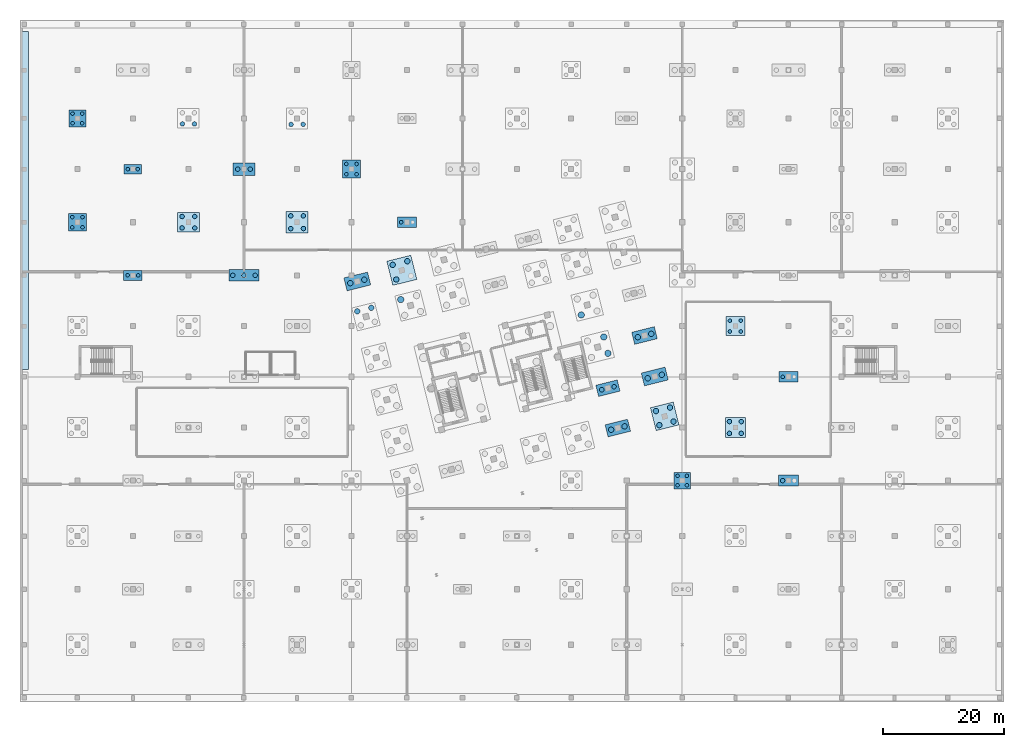
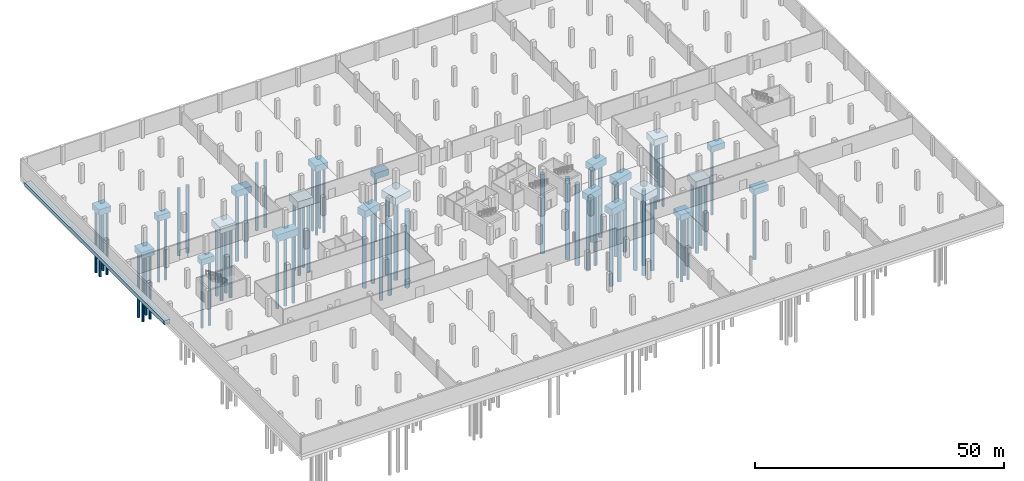
# One storey, part 3 of 29: 71 piles, 23 footings.
"""IFC4 building model written with IfcOpenShell, lengths in metres."""

from ifc_helpers import new_model, si_unit, direction, frame, origin, origin_2d, place, context, subcontext, project, spatial, rectangle, circle, extrude, material, layer, layer_set, material_profile, profile_set, type_object, element, save


model = new_model("IFC4")

# Units and contexts
model_context = context("Model", 3, precision=1e-05, world=origin(), true_north=direction((0.0, 1.0)))
body_context = subcontext(model_context, "Body", "Model", "MODEL_VIEW")
ifc_project = project(units=[si_unit("LENGTHUNIT", "METRE"), si_unit("AREAUNIT", "SQUARE_METRE"), si_unit("VOLUMEUNIT", "CUBIC_METRE"), si_unit("PLANEANGLEUNIT", "RADIAN"), si_unit("MASSUNIT", "GRAM", prefix="KILO")], contexts=[model_context])

# Site, building, storey
site_placement = place(None, origin())
site = spatial("IfcSite", under=ifc_project, at=site_placement, CompositionType="ELEMENT")
building_placement = place(site_placement, origin())
building = spatial("IfcBuilding", under=site, at=building_placement, Name="Meriwether Solvik Hall", CompositionType="ELEMENT")
storey_placement = place(building_placement, frame((0.0, 0.0, -9.0)))
storey = spatial("IfcBuildingStorey", under=building, at=storey_placement, Name="B02", CompositionType="ELEMENT", Elevation=-9.0)

# Footings
ifc_material_1 = material(Name="Concrete C40/50", Category="concrete")
ifc_layer_1 = layer(ifc_material_1, 1.39990234375)
ifc_layer_set_1 = layer_set([ifc_layer_1], Name="Concrete C40/50")
footing_type_1 = type_object("IfcFootingType", Name="FTG-PC-2750X2750X1400", PredefinedType="PILE_CAP", material=ifc_layer_set_1)
footing_1_placement = place(storey_placement, frame((114.199951171875, 41.199951171875, -2.0), z_axis=(0.0, 0.0, 1.0), x_axis=(1.0, 0.0, 0.0)))
element("IfcFooting", 1, at=footing_1_placement, inside=storey, type_object=footing_type_1, Name="Pile Cap pod_13_E", PredefinedType="PILE_CAP", context=body_context, shape_type="SweptSolid", body=[
    extrude(rectangle(XDim=2.75, YDim=2.75, at=origin_2d()), origin(), (0.0, 0.0, 1.0), 1.39990234375),
])
ifc_material_2 = material(Name="Concrete C40/50", Category="concrete")
ifc_layer_2 = layer(ifc_material_2, 1.449951171875)
ifc_layer_set_2 = layer_set([ifc_layer_2], Name="Concrete C40/50")
footing_type_2 = type_object("IfcFootingType", Name="FTG-PC-2800X2800X1450", PredefinedType="PILE_CAP", material=ifc_layer_set_2)
footing_2_placement = place(storey_placement, frame((14.0, 101.199951171875, -2.0498046875), z_axis=(0.0, 0.0, 1.0), x_axis=(1.0, 0.0, 0.0)))
element("IfcFooting", 2, at=footing_2_placement, inside=storey, type_object=footing_type_2, Name="Pile Cap pod_2_L", PredefinedType="PILE_CAP", context=body_context, shape_type="SweptSolid", body=[
    extrude(rectangle(XDim=2.800048828125, YDim=2.800048828125, at=origin_2d()), origin(), (0.0, 0.0, 1.0), 1.449951171875),
])
ifc_material_3 = material(Name="Concrete C40/50", Category="concrete")
ifc_layer_3 = layer(ifc_material_3, 1.39990234375)
ifc_layer_set_3 = layer_set([ifc_layer_3], Name="Concrete C40/50")
footing_type_3 = type_object("IfcFootingType", Name="FTG-PC-2900X1550X1400", PredefinedType="PILE_CAP", material=ifc_layer_set_3)
footing_3_placement = place(storey_placement, frame((23.199951171875, 92.800048828125, -2.0), z_axis=(0.0, 0.0, 1.0), x_axis=(1.0, 0.0, 0.0)))
element("IfcFooting", 3, at=footing_3_placement, inside=storey, type_object=footing_type_3, Name="Pile Cap pod_3_K", PredefinedType="PILE_CAP", context=body_context, shape_type="SweptSolid", body=[
    extrude(rectangle(XDim=2.89990234375, YDim=1.550048828125, at=origin_2d()), origin(), (0.0, 0.0, 1.0), 1.39990234375),
])
ifc_material_4 = material(Name="Concrete C40/50", Category="concrete")
ifc_layer_4 = layer(ifc_material_4, 1.5)
ifc_layer_set_4 = layer_set([ifc_layer_4], Name="Concrete C40/50")
footing_type_4 = type_object("IfcFootingType", Name="FTG-PC-2950X2950X1500", PredefinedType="PILE_CAP", material=ifc_layer_set_4)
for number, where, z_axis, x_axis, name in (
    (4, (14.0, 84.0, -2.10009765625), (0.0, 0.0, 1.0), (1.0, 0.0, 0.0), "Pile Cap pod_2_J"),
    (5, (59.39990234375, 92.800048828125, -2.10009765625), (0.0, 0.0, 1.0), (1.0, 0.0, 0.0), "Pile Cap pod_7_K"),
):
    element("IfcFooting", number, at=place(storey_placement, frame(where, z_axis=z_axis, x_axis=x_axis)), inside=storey, type_object=footing_type_4, Name=name, PredefinedType="PILE_CAP", context=body_context, shape_type="SweptSolid", body=[
        extrude(rectangle(XDim=2.949951171875, YDim=2.949951171875, at=origin_2d()), origin(), (0.0, 0.0, 1.0), 1.5),
    ])
ifc_material_5 = material(Name="Concrete C40/50", Category="concrete")
ifc_layer_5 = layer(ifc_material_5, 1.449951171875)
ifc_layer_set_5 = layer_set([ifc_layer_5], Name="Concrete C40/50")
footing_type_5 = type_object("IfcFootingType", Name="FTG-PC-3050X1650X1450", PredefinedType="PILE_CAP", material=ifc_layer_set_5)
footing_4_placement = place(storey_placement, frame((23.199951171875, 75.199951171875, -2.0498046875), z_axis=(0.0, 0.0, 1.0), x_axis=(1.0, 0.0, 0.0)))
element("IfcFooting", 6, at=footing_4_placement, inside=storey, type_object=footing_type_5, Name="Pile Cap pod_3_I", PredefinedType="PILE_CAP", context=body_context, shape_type="SweptSolid", body=[
    extrude(rectangle(XDim=3.050048828125, YDim=1.64990234375, at=origin_2d()), origin(), (0.0, 0.0, 1.0), 1.449951171875),
])
ifc_material_6 = material(Name="Concrete C40/50", Category="concrete")
ifc_layer_6 = layer(ifc_material_6, 1.550048828125)
ifc_layer_set_6 = layer_set([ifc_layer_6], Name="Concrete C40/50")
footing_type_6 = type_object("IfcFootingType", Name="FTG-PC-3150X3150X1550", PredefinedType="PILE_CAP", material=ifc_layer_set_6)
footing_5_placement = place(storey_placement, frame((123.0, 66.800048828125, -2.14990234375), z_axis=(0.0, 0.0, 1.0), x_axis=(1.0, 0.0, 0.0)))
element("IfcFooting", 7, at=footing_5_placement, inside=storey, type_object=footing_type_6, Name="Pile Cap pod_14_H", PredefinedType="PILE_CAP", context=body_context, shape_type="SweptSolid", body=[
    extrude(rectangle(XDim=3.14990234375, YDim=3.14990234375, at=origin_2d()), origin(), (0.0, 0.0, 1.0), 1.550048828125),
])
ifc_material_7 = material(Name="Concrete C40/50", Category="concrete")
ifc_layer_7 = layer(ifc_material_7, 1.5)
ifc_layer_set_7 = layer_set([ifc_layer_7], Name="Concrete C40/50")
footing_type_7 = type_object("IfcFootingType", Name="FTG-PC-3200X1750X1500", PredefinedType="PILE_CAP", material=ifc_layer_set_7)
for number, where, z_axis, x_axis, name in (
    (8, (68.60009765625, 84.0, -2.10009765625), (0.0, 0.0, 1.0), (1.0, 0.0, 0.0), "Pile Cap pod_8_J"),
    (9, (131.800048828125, 58.39990234375, -2.10009765625), (0.0, 0.0, 1.0), (1.0, 0.0, 0.0), "Pile Cap pod_15_G"),
):
    element("IfcFooting", number, at=place(storey_placement, frame(where, z_axis=z_axis, x_axis=x_axis)), inside=storey, type_object=footing_type_7, Name=name, PredefinedType="PILE_CAP", context=body_context, shape_type="SweptSolid", body=[
        extrude(rectangle(XDim=3.199951171875, YDim=1.75, at=origin_2d()), origin(), (0.0, 0.0, 1.0), 1.5),
    ])
ifc_material_8 = material(Name="Concrete C40/50", Category="concrete")
ifc_layer_8 = layer(ifc_material_8, 1.60009765625)
ifc_layer_set_8 = layer_set([ifc_layer_8], Name="Concrete C40/50")
footing_type_8 = type_object("IfcFootingType", Name="FTG-PC-3300X3300X1600", PredefinedType="PILE_CAP", material=ifc_layer_set_8)
footing_6_placement = place(storey_placement, frame((123.0, 50.0, -2.199951171875), z_axis=(0.0, 0.0, 1.0), x_axis=(1.0, 0.0, 0.0)))
element("IfcFooting", 10, at=footing_6_placement, inside=storey, type_object=footing_type_8, Name="Pile Cap pod_14_F", PredefinedType="PILE_CAP", context=body_context, shape_type="SweptSolid", body=[
    extrude(rectangle(XDim=3.300048828125, YDim=3.300048828125, at=origin_2d()), origin(), (0.0, 0.0, 1.0), 1.60009765625),
])
ifc_material_9 = material(Name="Concrete C40/50", Category="concrete")
ifc_layer_9 = layer(ifc_material_9, 1.5)
ifc_layer_set_9 = layer_set([ifc_layer_9], Name="Concrete C40/50")
footing_type_9 = type_object("IfcFootingType", Name="FTG-PC-3350X1850X1500", PredefinedType="PILE_CAP", material=ifc_layer_set_9)
footing_7_placement = place(storey_placement, frame((131.800048828125, 41.199951171875, -2.10009765625), z_axis=(0.0, 0.0, 1.0), x_axis=(1.0, 0.0, 0.0)))
element("IfcFooting", 11, at=footing_7_placement, inside=storey, type_object=footing_type_9, Name="Pile Cap pod_15_E", PredefinedType="PILE_CAP", context=body_context, shape_type="SweptSolid", body=[
    extrude(rectangle(XDim=3.35009765625, YDim=1.85009765625, at=origin_2d()), origin(), (0.0, 0.0, 1.0), 1.5),
])
ifc_material_10 = material(Name="Concrete C40/50", Category="concrete")
ifc_layer_10 = layer(ifc_material_10, 1.699951171875)
ifc_layer_set_10 = layer_set([ifc_layer_10], Name="Concrete C40/50")
footing_type_10 = type_object("IfcFootingType", Name="FTG-PC-3600X3600X1700", PredefinedType="PILE_CAP", material=ifc_layer_set_10)
footing_8_placement = place(storey_placement, frame((50.39990234375, 84.0, -2.2998046875), z_axis=(0.0, 0.0, 1.0), x_axis=(1.0, 0.0, 0.0)))
element("IfcFooting", 12, at=footing_8_placement, inside=storey, type_object=footing_type_10, Name="Pile Cap pod_6_J", PredefinedType="PILE_CAP", context=body_context, shape_type="SweptSolid", body=[
    extrude(rectangle(XDim=3.60009765625, YDim=3.60009765625, at=origin_2d()), origin(), (0.0, 0.0, 1.0), 1.699951171875),
])
ifc_material_11 = material(Name="Concrete C40/50", Category="concrete")
ifc_layer_11 = layer(ifc_material_11, 1.60009765625)
ifc_layer_set_11 = layer_set([ifc_layer_11], Name="Concrete C40/50")
footing_type_11 = type_object("IfcFootingType", Name="FTG-PC-3650X1900X1600", PredefinedType="PILE_CAP", material=ifc_layer_set_11)
footing_9_placement = place(storey_placement, frame((101.885498046875, 56.507080078125, -2.199951171875), z_axis=(0.0, 0.0, 1.0), x_axis=(0.970295726276, 0.2419218956, 0.0)))
element("IfcFooting", 13, at=footing_9_placement, inside=storey, type_object=footing_type_11, Name="Pile Cap tw_T6_TB", PredefinedType="PILE_CAP", context=body_context, shape_type="SweptSolid", body=[
    extrude(rectangle(XDim=3.64990234375, YDim=1.89990234375, at=origin_2d()), origin(), (0.0, 0.0, 1.0), 1.60009765625),
])
ifc_material_12 = material(Name="Concrete C40/50", Category="concrete")
ifc_layer_12 = layer(ifc_material_12, 1.60009765625)
ifc_layer_set_12 = layer_set([ifc_layer_12], Name="Concrete C40/50")
footing_type_12 = type_object("IfcFootingType", Name="FTG-PC-3650X2100X1600", PredefinedType="PILE_CAP", material=ifc_layer_set_12)
footing_10_placement = place(storey_placement, frame((41.60009765625, 92.800048828125, -2.199951171875), z_axis=(0.0, 0.0, 1.0), x_axis=(1.0, 0.0, 0.0)))
element("IfcFooting", 14, at=footing_10_placement, inside=storey, type_object=footing_type_12, Name="Pile Cap pod_5_K", PredefinedType="PILE_CAP", context=body_context, shape_type="SweptSolid", body=[
    extrude(rectangle(XDim=3.64990234375, YDim=2.10009765625, at=origin_2d()), origin(), (0.0, 0.0, 1.0), 1.60009765625),
])
ifc_material_13 = material(Name="Concrete C40/50", Category="concrete")
ifc_layer_13 = layer(ifc_material_13, 1.60009765625)
ifc_layer_set_13 = layer_set([ifc_layer_13], Name="Concrete C40/50")
footing_type_13 = type_object("IfcFootingType", Name="FTG-PC-3700X3300X1600", PredefinedType="PILE_CAP", material=ifc_layer_set_13)
footing_11_placement = place(storey_placement, frame((32.39990234375, 84.0, -2.199951171875), z_axis=(0.0, 0.0, 1.0), x_axis=(1.0, 0.0, 0.0)))
element("IfcFooting", 15, at=footing_11_placement, inside=storey, type_object=footing_type_13, Name="Pile Cap pod_4_J", PredefinedType="PILE_CAP", context=body_context, shape_type="SweptSolid", body=[
    extrude(rectangle(XDim=3.699951171875, YDim=3.300048828125, at=origin_2d()), origin(), (0.0, 0.0, 1.0), 1.60009765625),
])
ifc_material_14 = material(Name="Concrete C40/50", Category="concrete")
ifc_layer_14 = layer(ifc_material_14, 1.64990234375)
ifc_layer_set_14 = layer_set([ifc_layer_14], Name="Concrete C40/50")
footing_type_14 = type_object("IfcFootingType", Name="FTG-PC-3850X2050X1650", PredefinedType="PILE_CAP", material=ifc_layer_set_14)
for number, where, z_axis, x_axis, name in (
    (16, (103.53076171875, 49.9091796875, -2.25), (0.0, 0.0, 1.0), (0.970295726276, 0.2419218956, 0.0), "Pile Cap tw_T6_TA"),
    (17, (107.95458984375, 65.234619140625, -2.25), (0.0, 0.0, 1.0), (0.970295726276, 0.2419218956, 0.0), "Pile Cap tw_T7_TC"),
):
    element("IfcFooting", number, at=place(storey_placement, frame(where, z_axis=z_axis, x_axis=x_axis)), inside=storey, type_object=footing_type_14, Name=name, PredefinedType="PILE_CAP", context=body_context, shape_type="SweptSolid", body=[
        extrude(rectangle(XDim=3.85009765625, YDim=2.050048828125, at=origin_2d()), origin(), (0.0, 0.0, 1.0), 1.64990234375),
    ])
ifc_material_15 = material(Name="Concrete C40/50", Category="concrete")
ifc_layer_15 = layer(ifc_material_15, 1.75)
ifc_layer_set_15 = layer_set([ifc_layer_15], Name="Concrete C40/50")
footing_type_15 = type_object("IfcFootingType", Name="FTG-PC-3900X3900X1750", PredefinedType="PILE_CAP", material=ifc_layer_set_15)
footing_12_placement = place(storey_placement, frame((111.29296875, 51.844482421875, -2.35009765625), z_axis=(0.0, 0.0, 1.0), x_axis=(0.970295726276, 0.2419218956, 0.0)))
element("IfcFooting", 18, at=footing_12_placement, inside=storey, type_object=footing_type_15, Name="Pile Cap tw_T7_TA", PredefinedType="PILE_CAP", context=body_context, shape_type="SweptSolid", body=[
    extrude(rectangle(XDim=3.89990234375, YDim=3.89990234375, at=origin_2d()), origin(), (0.0, 0.0, 1.0), 1.75),
])
ifc_material_16 = material(Name="Concrete C40/50", Category="concrete")
ifc_layer_16 = layer(ifc_material_16, 1.699951171875)
ifc_layer_set_16 = layer_set([ifc_layer_16], Name="Concrete C40/50")
footing_type_16 = type_object("IfcFootingType", Name="FTG-PC-4050X2200X1700", PredefinedType="PILE_CAP", material=ifc_layer_set_16)
for number, where, z_axis, x_axis, name in (
    (19, (60.374755859375, 74.18994140625, -2.2998046875), (0.0, 0.0, 1.0), (0.970295726276, 0.2419218956, 0.0), "Pile Cap tw_T1_TF"),
    (20, (109.64794921875, 58.442626953125, -2.2998046875), (0.0, 0.0, 1.0), (0.970295726276, 0.2419218956, 0.0), "Pile Cap tw_T7_TB"),
):
    element("IfcFooting", number, at=place(storey_placement, frame(where, z_axis=z_axis, x_axis=x_axis)), inside=storey, type_object=footing_type_16, Name=name, PredefinedType="PILE_CAP", context=body_context, shape_type="SweptSolid", body=[
        extrude(rectangle(XDim=4.050048828125, YDim=2.199951171875, at=origin_2d()), origin(), (0.0, 0.0, 1.0), 1.699951171875),
    ])
ifc_material_17 = material(Name="Concrete C40/50", Category="concrete")
ifc_layer_17 = layer(ifc_material_17, 1.800048828125)
ifc_layer_set_17 = layer_set([ifc_layer_17], Name="Concrete C40/50")
footing_type_17 = type_object("IfcFootingType", Name="FTG-PC-4100X4100X1800", PredefinedType="PILE_CAP", material=ifc_layer_set_17)
footing_13_placement = place(storey_placement, frame((67.748779296875, 76.028564453125, -2.39990234375), z_axis=(0.0, 0.0, 1.0), x_axis=(0.970295726276, 0.2419218956, 0.0)))
element("IfcFooting", 21, at=footing_13_placement, inside=storey, type_object=footing_type_17, Name="Pile Cap tw_T2_TF", PredefinedType="PILE_CAP", context=body_context, shape_type="SweptSolid", body=[
    extrude(rectangle(XDim=4.10009765625, YDim=4.10009765625, at=origin_2d()), origin(), (0.0, 0.0, 1.0), 1.800048828125),
])
ifc_material_18 = material(Name="Concrete C40/50", Category="concrete")
ifc_layer_18 = layer(ifc_material_18, 1.699951171875)
ifc_layer_set_18 = layer_set([ifc_layer_18], Name="Concrete C40/50")
footing_type_18 = type_object("IfcFootingType", Name="FTG-PC-4950X1950X1700", PredefinedType="PILE_CAP", material=ifc_layer_set_18)
footing_14_placement = place(storey_placement, frame((41.60009765625, 75.199951171875, -2.2998046875), z_axis=(0.0, 0.0, 1.0), x_axis=(1.0, 0.0, 0.0)))
element("IfcFooting", 22, at=footing_14_placement, inside=storey, type_object=footing_type_18, Name="Pile Cap pod_5_I", PredefinedType="PILE_CAP", context=body_context, shape_type="SweptSolid", body=[
    extrude(rectangle(XDim=4.949951171875, YDim=1.949951171875, at=origin_2d()), origin(), (0.0, 0.0, 1.0), 1.699951171875),
])
ifc_material_19 = material(Name="Concrete C40/50", Category="concrete")
ifc_layer_19 = layer(ifc_material_19, 1.0)
ifc_layer_set_19 = layer_set([ifc_layer_19], Name="Concrete C40/50")
footing_type_19 = type_object("IfcFootingType", Name="FTG-SF-1400X1000", PredefinedType="STRIP_FOOTING", material=ifc_layer_set_19)
footing_15_placement = place(storey_placement, frame((5.199951171875, 87.60009765625, -1.60009765625), z_axis=(0.0, 0.0, 1.0), x_axis=(0.0, 1.0, 0.0)))
element("IfcFooting", 23, at=footing_15_placement, inside=storey, type_object=footing_type_19, Name="Perimeter Strip Footing SF_W2", PredefinedType="STRIP_FOOTING", context=body_context, shape_type="SweptSolid", body=[
    extrude(rectangle(XDim=56.0, YDim=1.39990234375, at=origin_2d()), origin(), (0.0, 0.0, 1.0), 1.0),
])

# Piles
ifc_material_20 = material(Name="Concrete C40/50", Category="concrete")
ifc_material_profile_1 = material_profile(ifc_material_20, circle(Radius=0.52490234375, at=origin_2d()), Name="PILE-D1050")
ifc_profile_set_1 = profile_set([ifc_material_profile_1], Name="Concrete C40/50")
pile_type_1 = type_object("IfcPileType", Name="PILE-BORED-1050", PredefinedType="BORED", material=ifc_profile_set_1)
pile_1_placement = place(storey_placement, frame((67.56396484375, 71.190185546875, -2.330078125), z_axis=(0.0, 0.0, -1.0), x_axis=(1.0, 0.0, 0.0)))
element("IfcPile", 24, at=pile_1_placement, inside=storey, type_object=pile_type_1, Name="Bored Pile P-045", PredefinedType="BORED", context=body_context, shape_type="SweptSolid", body=[
    extrude(circle(Radius=0.52490234375, at=origin_2d()), origin(), (0.0, 0.0, 1.0), 19.0),
])
for number, where, z_axis, x_axis, name in (
    (25, (101.88916015625, 62.279541015625, -2.47998046875), (0.0, 0.0, -1.0), (1.0, 0.0, 0.0), "Bored Pile P-086"),
    (26, (101.2119140625, 64.996337890625, -2.47998046875), (0.0, 0.0, -1.0), (1.0, 0.0, 0.0), "Bored Pile P-088"),
):
    element("IfcPile", number, at=place(storey_placement, frame(where, z_axis=z_axis, x_axis=x_axis)), inside=storey, type_object=pile_type_1, Name=name, PredefinedType="BORED", context=body_context, shape_type="SweptSolid", body=[
        extrude(circle(Radius=0.52490234375, at=origin_2d()), origin(), (0.0, 0.0, 1.0), 20.0),
    ])
pile_2_placement = place(storey_placement, frame((97.467041015625, 68.64892578125, -2.3798828125), z_axis=(0.0, 0.0, -1.0), x_axis=(1.0, 0.0, 0.0)))
element("IfcPile", 27, at=pile_2_placement, inside=storey, type_object=pile_type_1, Name="Bored Pile P-089", PredefinedType="BORED", context=body_context, shape_type="SweptSolid", body=[
    extrude(circle(Radius=0.52490234375, at=origin_2d()), origin(), (0.0, 0.0, 1.0), 19.5),
])
ifc_material_21 = material(Name="Concrete C40/50", Category="concrete")
ifc_material_profile_2 = material_profile(ifc_material_21, circle(Radius=0.300048828125, at=origin_2d()), Name="PILE-D600")
ifc_profile_set_2 = profile_set([ifc_material_profile_2], Name="Concrete C40/50")
pile_type_2 = type_object("IfcPileType", Name="PILE-BORED-600", PredefinedType="BORED", material=ifc_profile_set_2)
for number, where, z_axis, x_axis, name in (
    (28, (13.14990234375, 83.14990234375, -1.97998046875), (0.0, 0.0, -1.0), (1.0, 0.0, 0.0), "Bored Pile P-135"),
    (29, (14.85009765625, 83.14990234375, -1.97998046875), (0.0, 0.0, -1.0), (1.0, 0.0, 0.0), "Bored Pile P-136"),
    (30, (13.14990234375, 84.85009765625, -1.97998046875), (0.0, 0.0, -1.0), (1.0, 0.0, 0.0), "Bored Pile P-137"),
    (31, (14.85009765625, 84.85009765625, -1.97998046875), (0.0, 0.0, -1.0), (1.0, 0.0, 0.0), "Bored Pile P-138"),
):
    element("IfcPile", number, at=place(storey_placement, frame(where, z_axis=z_axis, x_axis=x_axis)), inside=storey, type_object=pile_type_2, Name=name, PredefinedType="BORED", context=body_context, shape_type="SweptSolid", body=[
        extrude(circle(Radius=0.300048828125, at=origin_2d()), origin(), (0.0, 0.0, 1.0), 16.0),
    ])
for number, where, z_axis, x_axis, name in (
    (32, (13.199951171875, 100.39990234375, -1.929931640625), (0.0, 0.0, -1.0), (1.0, 0.0, 0.0), "Bored Pile P-139"),
    (33, (14.800048828125, 100.39990234375, -1.929931640625), (0.0, 0.0, -1.0), (1.0, 0.0, 0.0), "Bored Pile P-140"),
    (34, (13.199951171875, 102.0, -1.929931640625), (0.0, 0.0, -1.0), (1.0, 0.0, 0.0), "Bored Pile P-141"),
    (35, (14.800048828125, 102.0, -1.929931640625), (0.0, 0.0, -1.0), (1.0, 0.0, 0.0), "Bored Pile P-142"),
):
    element("IfcPile", number, at=place(storey_placement, frame(where, z_axis=z_axis, x_axis=x_axis)), inside=storey, type_object=pile_type_2, Name=name, PredefinedType="BORED", context=body_context, shape_type="SweptSolid", body=[
        extrude(circle(Radius=0.300048828125, at=origin_2d()), origin(), (0.0, 0.0, 1.0), 15.5),
    ])
for number, where, z_axis, x_axis, name in (
    (36, (22.320068359375, 75.199951171875, -1.929931640625), (0.0, 0.0, -1.0), (1.0, 0.0, 0.0), "Bored Pile P-149"),
    (37, (24.080078125, 75.199951171875, -1.929931640625), (0.0, 0.0, -1.0), (1.0, 0.0, 0.0), "Bored Pile P-150"),
):
    element("IfcPile", number, at=place(storey_placement, frame(where, z_axis=z_axis, x_axis=x_axis)), inside=storey, type_object=pile_type_2, Name=name, PredefinedType="BORED", context=body_context, shape_type="SweptSolid", body=[
        extrude(circle(Radius=0.300048828125, at=origin_2d()), origin(), (0.0, 0.0, 1.0), 16.0),
    ])
for number, where, z_axis, x_axis, name in (
    (38, (22.3798828125, 92.800048828125, -1.8798828125), (0.0, 0.0, -1.0), (1.0, 0.0, 0.0), "Bored Pile P-151"),
    (39, (24.02001953125, 92.800048828125, -1.8798828125), (0.0, 0.0, -1.0), (1.0, 0.0, 0.0), "Bored Pile P-152"),
):
    element("IfcPile", number, at=place(storey_placement, frame(where, z_axis=z_axis, x_axis=x_axis)), inside=storey, type_object=pile_type_2, Name=name, PredefinedType="BORED", context=body_context, shape_type="SweptSolid", body=[
        extrude(circle(Radius=0.300048828125, at=origin_2d()), origin(), (0.0, 0.0, 1.0), 15.5),
    ])
for number, where, z_axis, x_axis, name in (
    (40, (58.550048828125, 91.949951171875, -1.97998046875), (0.0, 0.0, -1.0), (1.0, 0.0, 0.0), "Bored Pile P-225"),
    (41, (60.25, 91.949951171875, -1.97998046875), (0.0, 0.0, -1.0), (1.0, 0.0, 0.0), "Bored Pile P-226"),
    (42, (58.550048828125, 93.64990234375, -1.97998046875), (0.0, 0.0, -1.0), (1.0, 0.0, 0.0), "Bored Pile P-227"),
    (43, (60.25, 93.64990234375, -1.97998046875), (0.0, 0.0, -1.0), (1.0, 0.0, 0.0), "Bored Pile P-228"),
    (44, (67.64990234375, 84.0, -1.97998046875), (0.0, 0.0, -1.0), (1.0, 0.0, 0.0), "Bored Pile P-237"),
):
    element("IfcPile", number, at=place(storey_placement, frame(where, z_axis=z_axis, x_axis=x_axis)), inside=storey, type_object=pile_type_2, Name=name, PredefinedType="BORED", context=body_context, shape_type="SweptSolid", body=[
        extrude(circle(Radius=0.300048828125, at=origin_2d()), origin(), (0.0, 0.0, 1.0), 16.0),
    ])
for number, where, z_axis, x_axis, name in (
    (45, (113.419921875, 40.419921875, -1.8798828125), (0.0, 0.0, -1.0), (1.0, 0.0, 0.0), "Bored Pile P-285"),
    (46, (114.97998046875, 40.419921875, -1.8798828125), (0.0, 0.0, -1.0), (1.0, 0.0, 0.0), "Bored Pile P-286"),
    (47, (113.419921875, 41.97998046875, -1.8798828125), (0.0, 0.0, -1.0), (1.0, 0.0, 0.0), "Bored Pile P-287"),
    (48, (114.97998046875, 41.97998046875, -1.8798828125), (0.0, 0.0, -1.0), (1.0, 0.0, 0.0), "Bored Pile P-288"),
):
    element("IfcPile", number, at=place(storey_placement, frame(where, z_axis=z_axis, x_axis=x_axis)), inside=storey, type_object=pile_type_2, Name=name, PredefinedType="BORED", context=body_context, shape_type="SweptSolid", body=[
        extrude(circle(Radius=0.300048828125, at=origin_2d()), origin(), (0.0, 0.0, 1.0), 15.5),
    ])
for number, where, z_axis, x_axis, name in (
    (49, (122.10009765625, 65.89990234375, -2.030029296875), (0.0, 0.0, -1.0), (1.0, 0.0, 0.0), "Bored Pile P-311"),
    (50, (123.89990234375, 65.89990234375, -2.030029296875), (0.0, 0.0, -1.0), (1.0, 0.0, 0.0), "Bored Pile P-312"),
    (51, (122.10009765625, 67.699951171875, -2.030029296875), (0.0, 0.0, -1.0), (1.0, 0.0, 0.0), "Bored Pile P-313"),
    (52, (123.89990234375, 67.699951171875, -2.030029296875), (0.0, 0.0, -1.0), (1.0, 0.0, 0.0), "Bored Pile P-314"),
    (53, (130.85009765625, 58.39990234375, -1.97998046875), (0.0, 0.0, -1.0), (1.0, 0.0, 0.0), "Bored Pile P-327"),
):
    element("IfcPile", number, at=place(storey_placement, frame(where, z_axis=z_axis, x_axis=x_axis)), inside=storey, type_object=pile_type_2, Name=name, PredefinedType="BORED", context=body_context, shape_type="SweptSolid", body=[
        extrude(circle(Radius=0.300048828125, at=origin_2d()), origin(), (0.0, 0.0, 1.0), 16.0),
    ])
ifc_material_22 = material(Name="Concrete C40/50", Category="concrete")
ifc_material_profile_3 = material_profile(ifc_material_22, circle(Radius=0.375, at=origin_2d()), Name="PILE-D750")
ifc_profile_set_3 = profile_set([ifc_material_profile_3], Name="Concrete C40/50")
pile_type_3 = type_object("IfcPileType", Name="PILE-BORED-750", PredefinedType="BORED", material=ifc_profile_set_3)
for number, where, z_axis, x_axis, name in (
    (54, (100.86669921875, 56.253173828125, -2.080078125), (0.0, 0.0, -1.0), (1.0, 0.0, 0.0), "Bored Pile P-083"),
    (55, (102.904296875, 56.76123046875, -2.080078125), (0.0, 0.0, -1.0), (1.0, 0.0, 0.0), "Bored Pile P-084"),
):
    element("IfcPile", number, at=place(storey_placement, frame(where, z_axis=z_axis, x_axis=x_axis)), inside=storey, type_object=pile_type_3, Name=name, PredefinedType="BORED", context=body_context, shape_type="SweptSolid", body=[
        extrude(circle(Radius=0.375, at=origin_2d()), origin(), (0.0, 0.0, 1.0), 17.5),
    ])
for number, where, z_axis, x_axis, name in (
    (56, (31.35009765625, 83.050048828125, -2.080078125), (0.0, 0.0, -1.0), (1.0, 0.0, 0.0), "Bored Pile P-169"),
    (57, (33.449951171875, 83.050048828125, -2.080078125), (0.0, 0.0, -1.0), (1.0, 0.0, 0.0), "Bored Pile P-170"),
    (58, (31.35009765625, 84.949951171875, -2.080078125), (0.0, 0.0, -1.0), (1.0, 0.0, 0.0), "Bored Pile P-171"),
    (59, (33.449951171875, 84.949951171875, -2.080078125), (0.0, 0.0, -1.0), (1.0, 0.0, 0.0), "Bored Pile P-172"),
):
    element("IfcPile", number, at=place(storey_placement, frame(where, z_axis=z_axis, x_axis=x_axis)), inside=storey, type_object=pile_type_3, Name=name, PredefinedType="BORED", context=body_context, shape_type="SweptSolid", body=[
        extrude(circle(Radius=0.375, at=origin_2d()), origin(), (0.0, 0.0, 1.0), 17.0),
    ])
for number, where, z_axis, x_axis, name in (
    (60, (31.39990234375, 100.280029296875, -2.030029296875), (0.0, 0.0, -1.0), (1.0, 0.0, 0.0), "Bored Pile P-173"),
    (61, (33.39990234375, 100.280029296875, -2.030029296875), (0.0, 0.0, -1.0), (1.0, 0.0, 0.0), "Bored Pile P-174"),
):
    element("IfcPile", number, at=place(storey_placement, frame(where, z_axis=z_axis, x_axis=x_axis)), inside=storey, type_object=pile_type_3, Name=name, PredefinedType="BORED", context=body_context, shape_type="SweptSolid", body=[
        extrude(circle(Radius=0.375, at=origin_2d()), origin(), (0.0, 0.0, 1.0), 16.5),
    ])
for number, where, z_axis, x_axis, name in (
    (62, (39.75, 75.199951171875, -2.179931640625), (0.0, 0.0, -1.0), (1.0, 0.0, 0.0), "Bored Pile P-188"),
    (63, (41.60009765625, 75.199951171875, -2.179931640625), (0.0, 0.0, -1.0), (1.0, 0.0, 0.0), "Bored Pile P-189"),
    (64, (43.449951171875, 75.199951171875, -2.179931640625), (0.0, 0.0, -1.0), (1.0, 0.0, 0.0), "Bored Pile P-190"),
):
    element("IfcPile", number, at=place(storey_placement, frame(where, z_axis=z_axis, x_axis=x_axis)), inside=storey, type_object=pile_type_3, Name=name, PredefinedType="BORED", context=body_context, shape_type="SweptSolid", body=[
        extrude(circle(Radius=0.375, at=origin_2d()), origin(), (0.0, 0.0, 1.0), 17.0),
    ])
for number, where, z_axis, x_axis, name in (
    (65, (40.550048828125, 92.800048828125, -2.080078125), (0.0, 0.0, -1.0), (1.0, 0.0, 0.0), "Bored Pile P-191"),
    (66, (42.64990234375, 92.800048828125, -2.080078125), (0.0, 0.0, -1.0), (1.0, 0.0, 0.0), "Bored Pile P-192"),
):
    element("IfcPile", number, at=place(storey_placement, frame(where, z_axis=z_axis, x_axis=x_axis)), inside=storey, type_object=pile_type_3, Name=name, PredefinedType="BORED", context=body_context, shape_type="SweptSolid", body=[
        extrude(circle(Radius=0.375, at=origin_2d()), origin(), (0.0, 0.0, 1.0), 16.5),
    ])
for number, where, z_axis, x_axis, name in (
    (67, (49.35009765625, 82.949951171875, -2.179931640625), (0.0, 0.0, -1.0), (1.0, 0.0, 0.0), "Bored Pile P-209"),
    (68, (51.449951171875, 82.949951171875, -2.179931640625), (0.0, 0.0, -1.0), (1.0, 0.0, 0.0), "Bored Pile P-210"),
    (69, (49.35009765625, 85.050048828125, -2.179931640625), (0.0, 0.0, -1.0), (1.0, 0.0, 0.0), "Bored Pile P-211"),
    (70, (51.449951171875, 85.050048828125, -2.179931640625), (0.0, 0.0, -1.0), (1.0, 0.0, 0.0), "Bored Pile P-212"),
):
    element("IfcPile", number, at=place(storey_placement, frame(where, z_axis=z_axis, x_axis=x_axis)), inside=storey, type_object=pile_type_3, Name=name, PredefinedType="BORED", context=body_context, shape_type="SweptSolid", body=[
        extrude(circle(Radius=0.375, at=origin_2d()), origin(), (0.0, 0.0, 1.0), 17.0),
    ])
for number, where, z_axis, x_axis, name in (
    (71, (49.39990234375, 100.199951171875, -2.1298828125), (0.0, 0.0, -1.0), (1.0, 0.0, 0.0), "Bored Pile P-213"),
    (72, (51.39990234375, 100.199951171875, -2.1298828125), (0.0, 0.0, -1.0), (1.0, 0.0, 0.0), "Bored Pile P-214"),
    (73, (122.02001953125, 49.02001953125, -2.080078125), (0.0, 0.0, -1.0), (1.0, 0.0, 0.0), "Bored Pile P-307"),
    (74, (123.97998046875, 49.02001953125, -2.080078125), (0.0, 0.0, -1.0), (1.0, 0.0, 0.0), "Bored Pile P-308"),
    (75, (122.02001953125, 50.97998046875, -2.080078125), (0.0, 0.0, -1.0), (1.0, 0.0, 0.0), "Bored Pile P-309"),
    (76, (123.97998046875, 50.97998046875, -2.080078125), (0.0, 0.0, -1.0), (1.0, 0.0, 0.0), "Bored Pile P-310"),
    (77, (130.820068359375, 41.199951171875, -1.97998046875), (0.0, 0.0, -1.0), (1.0, 0.0, 0.0), "Bored Pile P-325"),
):
    element("IfcPile", number, at=place(storey_placement, frame(where, z_axis=z_axis, x_axis=x_axis)), inside=storey, type_object=pile_type_3, Name=name, PredefinedType="BORED", context=body_context, shape_type="SweptSolid", body=[
        extrude(circle(Radius=0.375, at=origin_2d()), origin(), (0.0, 0.0, 1.0), 16.5),
    ])
ifc_material_23 = material(Name="Concrete C40/50", Category="concrete")
ifc_material_profile_4 = material_profile(ifc_material_23, circle(Radius=0.449951171875, at=origin_2d()), Name="PILE-D900")
ifc_profile_set_4 = profile_set([ifc_material_profile_4], Name="Concrete C40/50")
pile_type_4 = type_object("IfcPileType", Name="PILE-BORED-900", PredefinedType="BORED", material=ifc_profile_set_4)
for number, where, z_axis, x_axis, name in (
    (78, (60.37158203125, 69.242431640625, -2.22998046875), (0.0, 0.0, -1.0), (1.0, 0.0, 0.0), "Bored Pile P-037"),
    (79, (62.7001953125, 69.822998046875, -2.22998046875), (0.0, 0.0, -1.0), (1.0, 0.0, 0.0), "Bored Pile P-038"),
):
    element("IfcPile", number, at=place(storey_placement, frame(where, z_axis=z_axis, x_axis=x_axis)), inside=storey, type_object=pile_type_4, Name=name, PredefinedType="BORED", context=body_context, shape_type="SweptSolid", body=[
        extrude(circle(Radius=0.449951171875, at=origin_2d()), origin(), (0.0, 0.0, 1.0), 18.5),
    ])
for number, where, z_axis, x_axis, name in (
    (80, (59.210205078125, 73.899658203125, -2.179931640625), (0.0, 0.0, -1.0), (1.0, 0.0, 0.0), "Bored Pile P-039"),
    (81, (61.5390625, 74.48046875, -2.179931640625), (0.0, 0.0, -1.0), (1.0, 0.0, 0.0), "Bored Pile P-040"),
):
    element("IfcPile", number, at=place(storey_placement, frame(where, z_axis=z_axis, x_axis=x_axis)), inside=storey, type_object=pile_type_4, Name=name, PredefinedType="BORED", context=body_context, shape_type="SweptSolid", body=[
        extrude(circle(Radius=0.449951171875, at=origin_2d()), origin(), (0.0, 0.0, 1.0), 18.0),
    ])
for number, where, z_axis, x_axis, name in (
    (82, (66.83837890625, 74.513427734375, -2.280029296875), (0.0, 0.0, -1.0), (1.0, 0.0, 0.0), "Bored Pile P-047"),
    (83, (66.233642578125, 76.939208984375, -2.280029296875), (0.0, 0.0, -1.0), (1.0, 0.0, 0.0), "Bored Pile P-049"),
    (84, (68.659423828125, 77.5439453125, -2.280029296875), (0.0, 0.0, -1.0), (1.0, 0.0, 0.0), "Bored Pile P-050"),
):
    element("IfcPile", number, at=place(storey_placement, frame(where, z_axis=z_axis, x_axis=x_axis)), inside=storey, type_object=pile_type_4, Name=name, PredefinedType="BORED", context=body_context, shape_type="SweptSolid", body=[
        extrude(circle(Radius=0.449951171875, at=origin_2d()), origin(), (0.0, 0.0, 1.0), 19.0),
    ])
for number, where, z_axis, x_axis, name in (
    (85, (102.414794921875, 49.630859375, -2.1298828125), (0.0, 0.0, -1.0), (1.0, 0.0, 0.0), "Bored Pile P-081"),
    (86, (104.646484375, 50.1875, -2.1298828125), (0.0, 0.0, -1.0), (1.0, 0.0, 0.0), "Bored Pile P-082"),
):
    element("IfcPile", number, at=place(storey_placement, frame(where, z_axis=z_axis, x_axis=x_axis)), inside=storey, type_object=pile_type_4, Name=name, PredefinedType="BORED", context=body_context, shape_type="SweptSolid", body=[
        extrude(circle(Radius=0.449951171875, at=origin_2d()), origin(), (0.0, 0.0, 1.0), 18.0),
    ])
for number, where, z_axis, x_axis, name in (
    (87, (110.4189453125, 50.389892578125, -2.22998046875), (0.0, 0.0, -1.0), (1.0, 0.0, 0.0), "Bored Pile P-101"),
    (88, (112.74755859375, 50.970458984375, -2.22998046875), (0.0, 0.0, -1.0), (1.0, 0.0, 0.0), "Bored Pile P-102"),
    (89, (109.83837890625, 52.718505859375, -2.22998046875), (0.0, 0.0, -1.0), (1.0, 0.0, 0.0), "Bored Pile P-103"),
    (90, (112.1669921875, 53.29931640625, -2.22998046875), (0.0, 0.0, -1.0), (1.0, 0.0, 0.0), "Bored Pile P-104"),
):
    element("IfcPile", number, at=place(storey_placement, frame(where, z_axis=z_axis, x_axis=x_axis)), inside=storey, type_object=pile_type_4, Name=name, PredefinedType="BORED", context=body_context, shape_type="SweptSolid", body=[
        extrude(circle(Radius=0.449951171875, at=origin_2d()), origin(), (0.0, 0.0, 1.0), 18.5),
    ])
for number, where, z_axis, x_axis, name in (
    (91, (108.483642578125, 58.15234375, -2.179931640625), (0.0, 0.0, -1.0), (1.0, 0.0, 0.0), "Bored Pile P-105"),
    (92, (110.812255859375, 58.73291015625, -2.179931640625), (0.0, 0.0, -1.0), (1.0, 0.0, 0.0), "Bored Pile P-106"),
    (93, (106.838623046875, 64.95654296875, -2.1298828125), (0.0, 0.0, -1.0), (1.0, 0.0, 0.0), "Bored Pile P-107"),
    (94, (109.0703125, 65.512939453125, -2.1298828125), (0.0, 0.0, -1.0), (1.0, 0.0, 0.0), "Bored Pile P-108"),
):
    element("IfcPile", number, at=place(storey_placement, frame(where, z_axis=z_axis, x_axis=x_axis)), inside=storey, type_object=pile_type_4, Name=name, PredefinedType="BORED", context=body_context, shape_type="SweptSolid", body=[
        extrude(circle(Radius=0.449951171875, at=origin_2d()), origin(), (0.0, 0.0, 1.0), 18.0),
    ])

save(model, "model.ifc")
